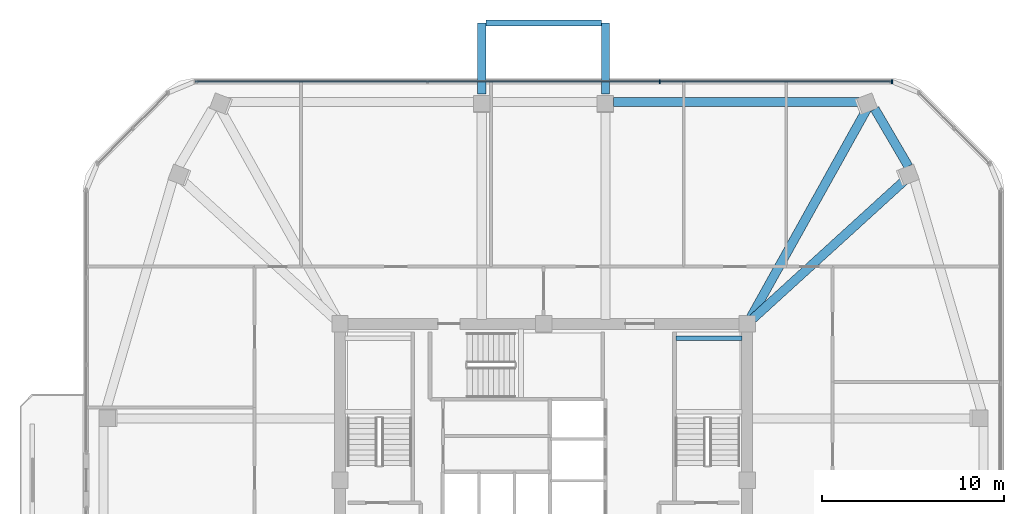
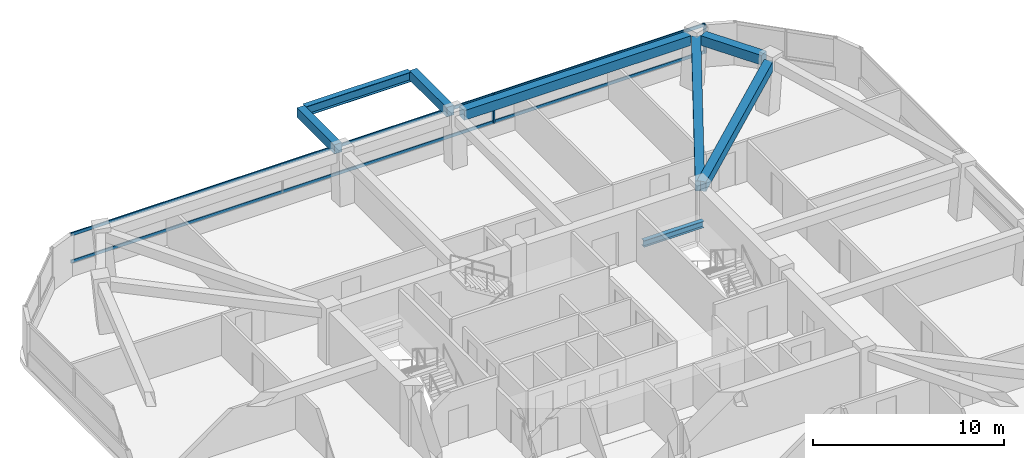
# One storey, part 5 of 13: 8 beams, 4 members, 1 element without a shape of its own.
"""IFC4 building model written with IfcOpenShell, lengths in metres."""

from ifc_helpers import new_model, si_unit, derived_unit, direction, frame, origin, origin_2d, place, context, subcontext, project, spatial, rectangle, i_section, extrude, material, material_profile, profile_set, type_object, element, aggregate, save


model = new_model("IFC4")

# Units and contexts
model_context = context("Model", 3, precision=1e-05, world=origin(), true_north=direction((0.0, 1.0)))
body_context = subcontext(model_context, "Body", "Model", "MODEL_VIEW")
ifc_project = project(units=[si_unit("LENGTHUNIT", "METRE"), si_unit("AREAUNIT", "SQUARE_METRE"), si_unit("VOLUMEUNIT", "CUBIC_METRE"), si_unit("PLANEANGLEUNIT", "RADIAN"), si_unit("MASSUNIT", "GRAM", prefix="KILO"), derived_unit("THERMALTRANSMITTANCEUNIT", [(si_unit("POWERUNIT", "WATT"), 1), (si_unit("LENGTHUNIT", "METRE"), -2), (si_unit("THERMODYNAMICTEMPERATUREUNIT", "KELVIN"), -1)])], contexts=[model_context])

# Site, building, storey
site_placement = place(None, origin())
site = spatial("IfcSite", under=ifc_project, at=site_placement, CompositionType="ELEMENT")
building_placement = place(site_placement, origin())
building = spatial("IfcBuilding", under=site, at=building_placement, Name="Koralith Skygarden Medical Center", CompositionType="ELEMENT")
storey_placement = place(building_placement, frame((0.0, 0.0, 199.97998046875)))
storey = spatial("IfcBuildingStorey", under=building, at=storey_placement, Name="L51", CompositionType="ELEMENT", Elevation=199.97998046875)

# Curtain wall, members
ifc_material_1 = material(Name="Clear Laminated Glass", Category="glass")
curtain_wall_type = type_object("IfcCurtainWallType", Name="CW-5 Zone 4 Flare Biophilic Curtain Wall", PredefinedType="NOTDEFINED", material=ifc_material_1)
curtain_wall_placement = place(storey_placement, origin())
curtain_wall = element("IfcCurtainWall", 1, at=curtain_wall_placement, inside=storey, type_object=curtain_wall_type, Name="Curtain Wall CW-L51-N", PredefinedType="NOTDEFINED")
ifc_material_2 = material(Name="Aluminium 6063-T6", Category="aluminium")
ifc_material_profile_1 = material_profile(ifc_material_2, rectangle(XDim=0.080078125, YDim=0.219970703125, at=origin_2d()), Name="MUL80X220")
ifc_profile_set_1 = profile_set([ifc_material_profile_1], Name="Aluminium 6063-T6")
member_type_1 = type_object("IfcMemberType", Name="CW-5 Extruded Mullion 80x220", PredefinedType="MULLION", material=ifc_profile_set_1)
member_1_placement = place(storey_placement, frame((56.173095703125, 47.825927734375, 0.85009765625), z_axis=(0.0, 0.0, 1.0), x_axis=(1.0, 0.0, 0.0)))
member_1 = element("IfcMember", 2, at=member_1_placement, type_object=member_type_1, Name="CW-L51-N Mullion 1", PredefinedType="MULLION", context=body_context, shape_type="SweptSolid", body=[
    extrude(rectangle(XDim=0.080078125, YDim=0.219970703125, at=origin_2d()), origin(), (0.0, 0.0, 1.0), 1.83984375),
])
member_2_placement = place(storey_placement, frame((43.39111328125, 47.825927734375, 0.85009765625), z_axis=(0.0, 0.0, 1.0), x_axis=(1.0, 0.0, 0.0)))
member_2 = element("IfcMember", 3, at=member_2_placement, type_object=member_type_1, Name="CW-L51-N Mullion 2", PredefinedType="MULLION", context=body_context, shape_type="SweptSolid", body=[
    extrude(rectangle(XDim=0.080078125, YDim=0.219970703125, at=origin_2d()), origin(), (0.0, 0.0, 1.0), 1.83984375),
])
ifc_material_profile_2 = material_profile(ifc_material_2, rectangle(XDim=0.074951171875, YDim=0.197998046875, at=origin_2d()), Name="TRN75X198")
ifc_profile_set_2 = profile_set([ifc_material_profile_2], Name="Aluminium 6063-T6")
member_type_2 = type_object("IfcMemberType", Name="CW-5 Thermal Transom 75x198", PredefinedType="USERDEFINED", material=ifc_profile_set_2)
member_3_placement = place(storey_placement, frame((56.173095703125, 47.825927734375, 0.89990234375), z_axis=(-1.0, 0.0, 0.0), x_axis=(0.0, -1.0, 0.0)))
member_3 = element("IfcMember", 4, at=member_3_placement, type_object=member_type_2, Name="CW-L51-N Transom 1", ObjectType="TRANSOM", PredefinedType="USERDEFINED", context=body_context, shape_type="SweptSolid", body=[
    extrude(rectangle(XDim=0.074951171875, YDim=0.197998046875, at=origin_2d()), origin(), (0.0, 0.0, 1.0), 38.34619140625),
])
member_4_placement = place(storey_placement, frame((56.173095703125, 47.825927734375, 2.64013671875), z_axis=(-1.0, 0.0, 0.0), x_axis=(0.0, -1.0, 0.0)))
member_4 = element("IfcMember", 5, at=member_4_placement, type_object=member_type_2, Name="CW-L51-N Transom 2", ObjectType="TRANSOM", PredefinedType="USERDEFINED", context=body_context, shape_type="SweptSolid", body=[
    extrude(rectangle(XDim=0.074951171875, YDim=0.197998046875, at=origin_2d()), origin(), (0.0, 0.0, 1.0), 38.34619140625),
])
aggregate(curtain_wall, [member_1, member_2, member_3, member_4])

# Beams
ifc_material_3 = material(Name="Steel ASTM A992 Grade 50", Category="steel")
ifc_material_profile_3 = material_profile(ifc_material_3, i_section(OverallWidth=0.326904296875, OverallDepth=0.6220703125, WebThickness=0.015380859375, FlangeThickness=0.0244140625, at=origin_2d()), Name="W24X131")
ifc_profile_set_3 = profile_set([ifc_material_profile_3], Name="Steel ASTM A992 Grade 50")
beam_type_1 = type_object("IfcBeamType", Name="Cantilever Tie Beam W24X131", PredefinedType="BEAM", material=ifc_profile_set_3)
beam_1_placement = place(storey_placement, frame((33.820068359375, 51.051025390625, 3.029052734375), z_axis=(1.0, 0.0, 0.0), x_axis=(0.0, 1.0, 0.0)))
element("IfcBeam", 6, at=beam_1_placement, inside=storey, type_object=beam_type_1, Name="L52 N Balcony Tip Tie Beam", PredefinedType="BEAM", context=body_context, shape_type="SweptSolid", body=[
    extrude(i_section(OverallWidth=0.326904296875, OverallDepth=0.6220703125, WebThickness=0.015380859375, FlangeThickness=0.0244140625, at=origin_2d()), origin(), (0.0, 0.0, 1.0), 6.35986328125),
])
ifc_material_profile_4 = material_profile(ifc_material_3, i_section(OverallWidth=0.260009765625, OverallDepth=0.4150390625, WebThickness=0.010009765625, FlangeThickness=0.016845703125, at=origin_2d()), Name="W16X67")
ifc_profile_set_4 = profile_set([ifc_material_profile_4], Name="Steel ASTM A992 Grade 50")
beam_type_2 = type_object("IfcBeamType", Name="Clinical Floor Joist W16X67", PredefinedType="JOIST", material=ifc_profile_set_4)
beam_2_placement = place(storey_placement, frame((44.280029296875, 33.699951171875, 1.39306640625), z_axis=(1.0, 0.0, 0.0), x_axis=(0.0, 1.0, 0.0)))
element("IfcBeam", 7, at=beam_2_placement, inside=storey, type_object=beam_type_2, Name="L51 Stair ST2 Half-Landing Support Beam 1B", PredefinedType="JOIST", context=body_context, shape_type="SweptSolid", body=[
    extrude(i_section(OverallWidth=0.260009765625, OverallDepth=0.4150390625, WebThickness=0.010009765625, FlangeThickness=0.016845703125, at=origin_2d()), origin(), (0.0, 0.0, 1.0), 3.639892578125),
])
ifc_material_4 = material(Name="Concrete C45/55", Category="concrete")
ifc_material_profile_5 = material_profile(ifc_material_4, rectangle(XDim=0.449951171875, YDim=0.60009765625, at=origin_2d()), Name="RCB450X600")
ifc_profile_set_5 = profile_set([ifc_material_profile_5], Name="Concrete C45/55")
beam_type_3 = type_object("IfcBeamType", Name="Planted Balcony Cantilever Beam RCB450X600", PredefinedType="BEAM", material=ifc_profile_set_5)
for number, where, z_axis, x_axis, name in (
    (8, (33.60009765625, 47.131103515625, 3.0400390625), (0.0, 1.0, 0.0), (-1.0, 0.0, 0.0), "L52 N Balcony Cantilever Beam A"),
    (9, (40.39990234375, 47.131103515625, 3.0400390625), (0.0, 1.0, 0.0), (-1.0, 0.0, 0.0), "L52 N Balcony Cantilever Beam B"),
):
    element("IfcBeam", number, at=place(storey_placement, frame(where, z_axis=z_axis, x_axis=x_axis)), inside=storey, type_object=beam_type_3, Name=name, PredefinedType="BEAM", context=body_context, shape_type="SweptSolid", body=[
        extrude(rectangle(XDim=0.449951171875, YDim=0.60009765625, at=origin_2d()), origin(), (0.0, 0.0, 1.0), 3.919921875),
    ])
ifc_material_profile_6 = material_profile(ifc_material_4, rectangle(XDim=0.5, YDim=0.6201171875, at=origin_2d()), Name="RCB500X620")
ifc_profile_set_6 = profile_set([ifc_material_profile_6], Name="Concrete C45/55")
beam_type_4 = type_object("IfcBeamType", Name="Upper Radial Collector Beam RCB500X620", PredefinedType="BEAM", material=ifc_profile_set_6)
beam_3_placement = place(storey_placement, frame((48.385009765625, 34.66796875, 3.010009765625), z_axis=(0.7392077394, 0.673477481443, 0.0), x_axis=(-0.673477481443, 0.7392077394, 0.0)))
element("IfcBeam", 10, at=beam_3_placement, inside=storey, type_object=beam_type_4, Name="L51 Radial Collector Beam RB-10", PredefinedType="BEAM", context=body_context, shape_type="SweptSolid", body=[
    extrude(rectangle(XDim=0.5, YDim=0.6201171875, at=origin_2d()), origin(), (0.0, 0.0, 1.0), 11.607177734375),
])
beam_4_placement = place(storey_placement, frame((48.322021484375, 34.718017578125, 3.010009765625), z_axis=(0.486740042775, 0.873546868095, 0.0), x_axis=(-0.873546868095, 0.486740042775, 0.0)))
element("IfcBeam", 11, at=beam_4_placement, inside=storey, type_object=beam_type_4, Name="L51 Radial Collector Beam RB-11", PredefinedType="BEAM", context=body_context, shape_type="SweptSolid", body=[
    extrude(rectangle(XDim=0.5, YDim=0.6201171875, at=origin_2d()), origin(), (0.0, 0.0, 1.0), 13.27783203125),
])
ifc_material_profile_7 = material_profile(ifc_material_4, rectangle(XDim=0.5, YDim=0.6201171875, at=origin_2d()), Name="RCB500X620")
ifc_profile_set_7 = profile_set([ifc_material_profile_7], Name="Concrete C45/55")
beam_type_5 = type_object("IfcBeamType", Name="Zone 4-5 Spandrel Beam RCB500X620", PredefinedType="SPANDREL", material=ifc_profile_set_7)
beam_5_placement = place(storey_placement, frame((57.068115234375, 43.160888671875, 3.010009765625), z_axis=(-0.504633876864, 0.863333452567, 0.0), x_axis=(-0.863333452567, -0.504633876864, 0.0)))
element("IfcBeam", 12, at=beam_5_placement, inside=storey, type_object=beam_type_5, Name="L51 Perimeter Spandrel Beam SP-10", PredefinedType="SPANDREL", context=body_context, shape_type="SweptSolid", body=[
    extrude(rectangle(XDim=0.5, YDim=0.6201171875, at=origin_2d()), origin(), (0.0, 0.0, 1.0), 3.660400390625),
])
beam_6_placement = place(storey_placement, frame((54.55908203125, 46.700927734375, 3.010009765625), z_axis=(-1.0, 0.0, 0.0), x_axis=(0.0, -1.0, 0.0)))
element("IfcBeam", 13, at=beam_6_placement, inside=storey, type_object=beam_type_5, Name="L51 Perimeter Spandrel Beam SP-11", PredefinedType="SPANDREL", context=body_context, shape_type="SweptSolid", body=[
    extrude(rectangle(XDim=0.5, YDim=0.6201171875, at=origin_2d()), origin(), (0.0, 0.0, 1.0), 13.718994140625),
])

save(model, "model.ifc")
